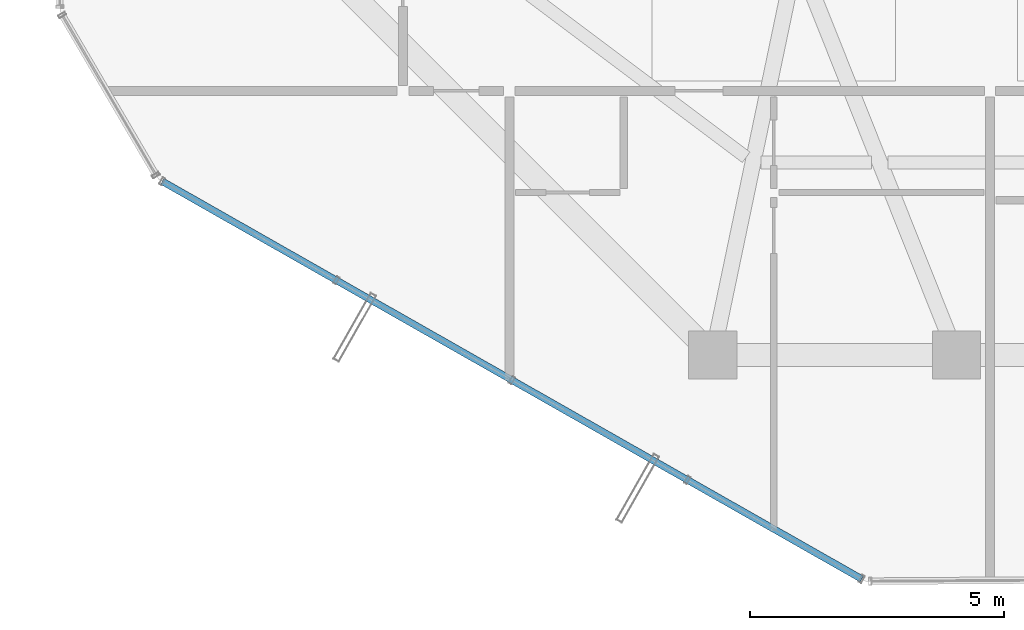
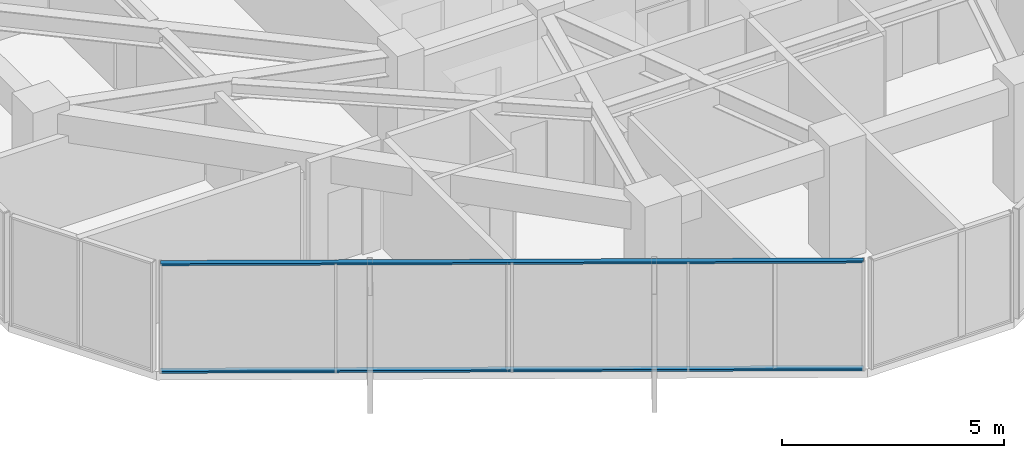
# One storey, part 3 of 31: 2 members, 1 element without a shape of its own.
"""IFC4 building model written with IfcOpenShell, lengths in metres."""

from ifc_helpers import new_model, si_unit, direction, frame, origin, origin_2d, place, context, subcontext, project, spatial, hollow_rectangle, extrude, source, transform, mapped, material, layer, layer_set, material_profile, profile_set, type_object, element, aggregate, save


model = new_model("IFC4")

# Units and contexts
model_context = context("Model", 3, precision=1e-05, world=origin(), true_north=direction((0.0, 1.0)))
body_context = subcontext(model_context, "Body", "Model", "MODEL_VIEW")
ifc_project = project(units=[si_unit("LENGTHUNIT", "METRE"), si_unit("AREAUNIT", "SQUARE_METRE"), si_unit("VOLUMEUNIT", "CUBIC_METRE"), si_unit("PLANEANGLEUNIT", "RADIAN"), si_unit("MASSUNIT", "GRAM", prefix="KILO")], contexts=[model_context])

# Site, building, storey
site_placement = place(None, origin())
site = spatial("IfcSite", under=ifc_project, at=site_placement, CompositionType="ELEMENT")
building_placement = place(site_placement, origin())
building = spatial("IfcBuilding", under=site, at=building_placement, Name="Veraguas Prism Commons", CompositionType="ELEMENT")
storey_placement = place(building_placement, frame((0.0, 0.0, 204.85009765625)))
storey = spatial("IfcBuildingStorey", under=building, at=storey_placement, Name="L58", CompositionType="ELEMENT", Elevation=204.85009765625)

# Curtain wall, members
ifc_material = material(Name="Anodised aluminium EN AW-6063 T6", Category="aluminium")
ifc_layer = layer(ifc_material, 0.14990234375, Name="Unitised Flush Curtain Wall Zone 3", Category="aluminium")
ifc_layer_set = layer_set([ifc_layer], Name="Anodised aluminium EN AW-6063 T6")
curtain_wall_type = type_object("IfcCurtainWallType", Name="Unitised Flush Curtain Wall Zone 3", PredefinedType="NOTDEFINED", material=ifc_layer_set)
curtain_wall_placement = place(storey_placement, origin())
curtain_wall = element("IfcCurtainWall", 1, at=curtain_wall_placement, inside=storey, type_object=curtain_wall_type, Name="Tower Facade Curtain Wall L58-F4", PredefinedType="NOTDEFINED")
ifc_material_profile = material_profile(ifc_material, hollow_rectangle(XDim=0.054931640625, YDim=0.135009765625, WallThickness=0.0029296875, at=origin_2d()), Name="AL55X135X3")
ifc_profile_set = profile_set([ifc_material_profile], Name="Anodised aluminium EN AW-6063 T6")
member_type = type_object("IfcMemberType", Name="Curtain Wall Transom Standard AL 55x135x3", PredefinedType="USERDEFINED", material=ifc_profile_set)
shared_shape = source(origin(), body_context, "Body", "SweptSolid", [
    extrude(hollow_rectangle(XDim=0.054931640625, YDim=0.135009765625, WallThickness=0.0029296875, at=origin_2d()), origin(), (0.0, 0.0, 1.0), 15.842041015625),
])
member_1_placement = place(storey_placement, frame((8.36083984375, 12.51904296875, 0.02734375), z_axis=(0.869325044097, -0.494240799313, 0.0), x_axis=(0.0, 0.0, 1.0)))
member_1 = element("IfcMember", 2, at=member_1_placement, type_object=member_type, Name="CW-Z3 Transom 1", ObjectType="TRANSOM", PredefinedType="USERDEFINED", context=body_context, shape_type="MappedRepresentation", body=[
    mapped(shared_shape, transform((0.0, 0.0, 0.0), scale=1.0)),
])
member_2_placement = place(storey_placement, frame((8.36083984375, 12.51904296875, 2.9873046875), z_axis=(0.869325044097, -0.494240799313, 0.0), x_axis=(0.0, 0.0, 1.0)))
member_2 = element("IfcMember", 3, at=member_2_placement, type_object=member_type, Name="CW-Z3 Transom 2", ObjectType="TRANSOM", PredefinedType="USERDEFINED", context=body_context, shape_type="MappedRepresentation", body=[
    mapped(shared_shape, transform((0.0, 0.0, 0.0), scale=1.0)),
])
aggregate(curtain_wall, [member_1, member_2])

save(model, "model.ifc")
